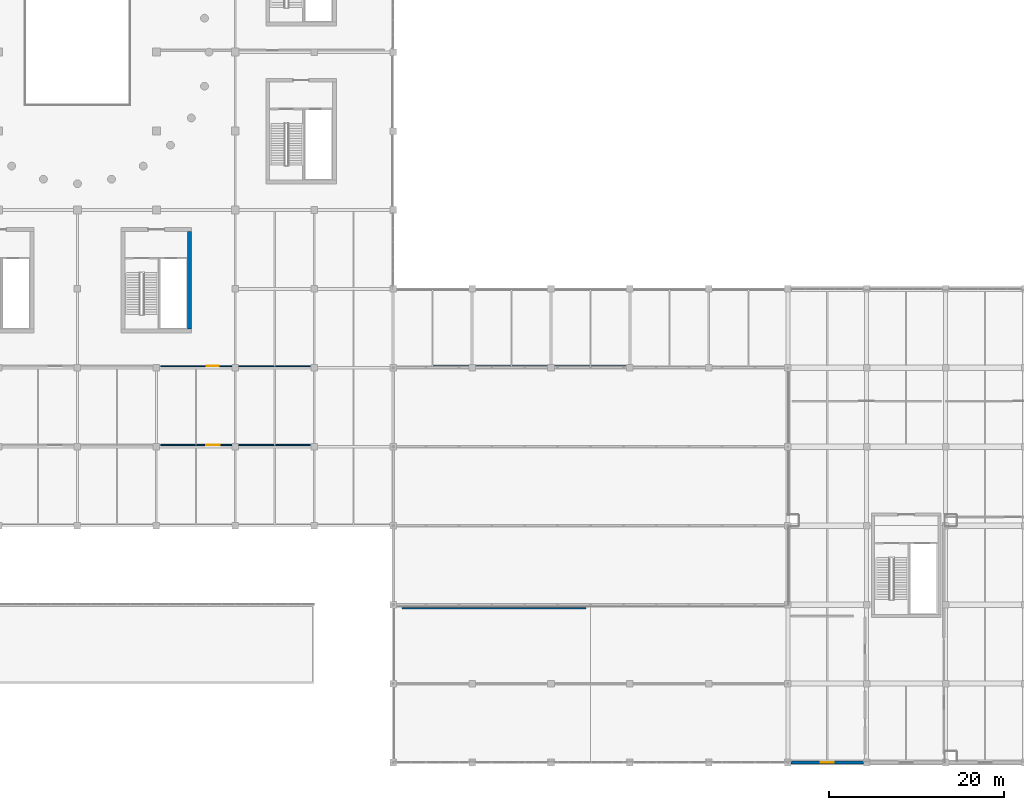
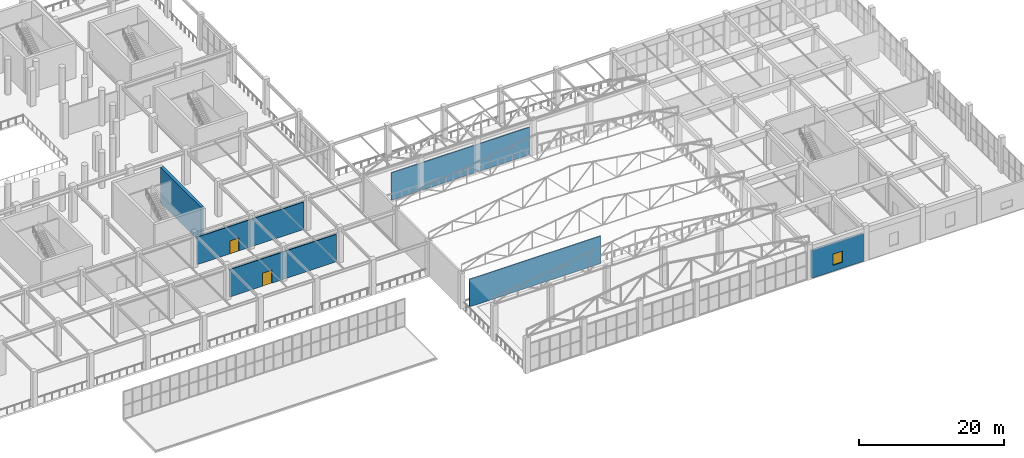
# One storey, part 192 of 223: 6 walls, 2 doors, 1 window, 3 openings.
"""IFC4 building model written with IfcOpenShell, lengths in metres."""

from ifc_helpers import new_model, si_unit, direction, frame, frame_2d, origin, place, context, subcontext, project, spatial, rectangle, extrude, material, layer, layer_set, type_object, element, fill, save


model = new_model("IFC4")

# Units and contexts
model_context = context("Model", 3, precision=1e-05, world=origin(), true_north=direction((0.0, 1.0)))
body_context = subcontext(model_context, "Body", "Model", "MODEL_VIEW")
ifc_project = project(units=[si_unit("LENGTHUNIT", "METRE"), si_unit("AREAUNIT", "SQUARE_METRE"), si_unit("VOLUMEUNIT", "CUBIC_METRE"), si_unit("PLANEANGLEUNIT", "RADIAN"), si_unit("MASSUNIT", "GRAM", prefix="KILO")], contexts=[model_context])

# Site, building, storey
site_placement = place(None, origin())
site = spatial("IfcSite", under=ifc_project, at=site_placement, CompositionType="ELEMENT")
building_placement = place(site_placement, origin())
building = spatial("IfcBuilding", under=site, at=building_placement, Name="Dornveld Trade and Exhibition Forum", CompositionType="ELEMENT")
storey_placement = place(building_placement, frame((0.0, 0.0, 6.0)))
storey = spatial("IfcBuildingStorey", under=building, at=storey_placement, Name="L01", CompositionType="ELEMENT", Elevation=6.0)

# Wall
ifc_material_1 = material(Name="Concrete C40/50", Category="concrete")
ifc_layer_1 = layer(ifc_material_1, 0.449951171875)
ifc_layer_set_1 = layer_set([ifc_layer_1], Name="Concrete C40/50")
wall_type_1 = type_object("IfcWallType", Name="WL-CORE-450", PredefinedType="SHEAR", material=ifc_layer_set_1)
wall_1_placement = place(storey_placement, frame((129.800048828125, 49.425048828125, 0.0), z_axis=(0.0, 0.0, 1.0), x_axis=(0.0, 1.0, 0.0)))
element("IfcWall", 1, at=wall_1_placement, inside=storey, type_object=wall_type_1, Name="CORE-07 L01 shear wall E", PredefinedType="SHEAR", context=body_context, shape_type="SweptSolid", body=[
    extrude(rectangle(XDim=11.14990234375, YDim=0.449951171875, at=frame_2d((5.574951171875, 0.0))), origin(), (0.0, 0.0, 1.0), 6.0),
])

# Wall, opening, window
ifc_material_2 = material(Name="Precast concrete C50/60", Category="concrete")
ifc_layer_2 = layer(ifc_material_2, 0.340087890625)
ifc_layer_set_2 = layer_set([ifc_layer_2], Name="Precast concrete C50/60")
wall_type_2 = type_object("IfcWallType", Name="WL-EXT-PC340", PredefinedType="SOLIDWALL", material=ifc_layer_set_2)
wall_2_placement = place(storey_placement, frame((198.37451171875, 0.0, 0.0), z_axis=(0.0, 0.0, 1.0), x_axis=(1.0, 0.0, 0.0)))
wall_2 = element("IfcWall", 2, at=wall_2_placement, inside=storey, type_object=wall_type_2, Name="L01 precast facade wall 100", PredefinedType="SOLIDWALL", context=body_context, shape_type="SweptSolid", body=[
    extrude(rectangle(XDim=8.2509765625, YDim=0.340087890625, at=frame_2d((4.12548828125, 0.0))), origin(), (0.0, 0.0, 1.0), 4.659912109375),
])
opening_1_placement = place(wall_2_placement, frame((3.37548828125, 0.0, 1.0)))
opening_1 = element("IfcOpeningElement", 3, at=opening_1_placement, cuts=wall_2, Name="Opening W-12", PredefinedType="OPENING", context=body_context, shape_type="SweptSolid", body=[
    extrude(rectangle(XDim=1.5, YDim=1.89990234375, at=frame_2d((0.75, 0.949951171875))), frame((0.0, 0.179931640625, 0.0), z_axis=(0.0, -1.0, 0.0), x_axis=(1.0, 0.0, 0.0)), (0.0, 0.0, 1.0), 0.360107421875),
])
ifc_material_3 = material(Name="Dark-bronze anodised aluminium and low-E glass", Category="aluminium")
window_type = type_object("IfcWindowType", Name="WIN-AL-12", PartitioningType="SINGLE_PANEL", PredefinedType="WINDOW", material=ifc_material_3)
window_placement = place(opening_1_placement, origin())
window = element("IfcWindow", 4, at=window_placement, inside=storey, type_object=window_type, Name="L01 facade window 75", OverallHeight=1.89990234375, OverallWidth=1.5, PartitioningType="SINGLE_PANEL", PredefinedType="WINDOW", context=body_context, shape_type="SweptSolid", body=[
    extrude(rectangle(XDim=1.5, YDim=1.89990234375, at=frame_2d((0.75, 0.949951171875))), frame((0.0, 0.030029296875, 0.0), z_axis=(0.0, -1.0, 0.0), x_axis=(1.0, 0.0, 0.0)), (0.0, 0.0, 1.0), 0.06005859375),
])
fill(opening_1, window)

# Wall
ifc_material_4 = material(Name="Fire-rated steel-stud gypsum board", Category="steel")
ifc_layer_3 = layer(ifc_material_4, 0.169921875)
ifc_layer_set_3 = layer_set([ifc_layer_3], Name="Fire-rated steel-stud gypsum board")
wall_type_3 = type_object("IfcWallType", Name="WL-INT-FR170", PredefinedType="PARTITIONING", material=ifc_layer_set_3)
wall_3_placement = place(storey_placement, frame((154.02001953125, 17.60009765625, 0.0), z_axis=(0.0, 0.0, 1.0), x_axis=(1.0, 0.0, 0.0)))
element("IfcWall", 5, at=wall_3_placement, inside=storey, type_object=wall_type_3, Name="L01 interior partition 42", PredefinedType="PARTITIONING", context=body_context, shape_type="SweptSolid", body=[
    extrude(rectangle(XDim=20.9599609375, YDim=0.169921875, at=frame_2d((10.47998046875, 0.0))), origin(), (0.0, 0.0, 1.0), 4.639892578125),
])

# Wall, opening, door
ifc_material_5 = material(Name="Steel-stud gypsum partition", Category="steel")
ifc_layer_4 = layer(ifc_material_5, 0.135009765625)
ifc_layer_set_4 = layer_set([ifc_layer_4], Name="Steel-stud gypsum partition")
wall_type_4 = type_object("IfcWallType", Name="WL-INT-ST135", PredefinedType="PARTITIONING", material=ifc_layer_set_4)
wall_4_placement = place(storey_placement, frame((126.47998046875, 45.199951171875, 0.0), z_axis=(0.0, 0.0, 1.0), x_axis=(1.0, 0.0, 0.0)))
wall_4 = element("IfcWall", 6, at=wall_4_placement, inside=storey, type_object=wall_type_4, Name="L01 interior partition 105", PredefinedType="PARTITIONING", context=body_context, shape_type="SweptSolid", body=[
    extrude(rectangle(XDim=17.0400390625, YDim=0.135009765625, at=frame_2d((8.52001953125, 0.0))), origin(), (0.0, 0.0, 1.0), 4.639892578125),
])
opening_2_placement = place(wall_4_placement, frame((5.27392578125, 0.0, 0.0)))
opening_2 = element("IfcOpeningElement", 7, at=opening_2_placement, cuts=wall_4, Name="Opening MSD-09-070", PredefinedType="OPENING", context=body_context, shape_type="SweptSolid", body=[
    extrude(rectangle(XDim=1.3798828125, YDim=2.199951171875, at=frame_2d((0.68994140625, 1.10009765625))), frame((0.0, 0.077392578125, 0.0), z_axis=(0.0, -1.0, 0.0), x_axis=(1.0, 0.0, 0.0)), (0.0, 0.0, 1.0), 0.155029296875),
])
ifc_material_6 = material(Name="Solid-core administration door", Category="wood")
door_type_1 = type_object("IfcDoorType", Name="DR-SUB-138x220", OperationType="NOTDEFINED", PredefinedType="DOOR", material=ifc_material_6)
door_1_placement = place(opening_2_placement, origin())
door_1 = element("IfcDoor", 8, at=door_1_placement, inside=storey, type_object=door_type_1, Name="L01 interior room door 70", OperationType="SINGLE_SWING_RIGHT", OverallHeight=2.199951171875, OverallWidth=1.3798828125, PredefinedType="DOOR", context=body_context, shape_type="SweptSolid", body=[
    extrude(rectangle(XDim=1.3798828125, YDim=2.199951171875, at=frame_2d((0.68994140625, 1.10009765625))), frame((0.0, 0.02490234375, 0.0), z_axis=(0.0, -1.0, 0.0), x_axis=(1.0, 0.0, 0.0)), (0.0, 0.0, 1.0), 0.050048828125),
])
fill(opening_2, door_1)

# Wall
ifc_material_7 = material(Name="Steel-stud gypsum partition", Category="steel")
ifc_layer_5 = layer(ifc_material_7, 0.155029296875)
ifc_layer_set_5 = layer_set([ifc_layer_5], Name="Steel-stud gypsum partition")
wall_type_5 = type_object("IfcWallType", Name="WL-INT-ST155", PredefinedType="PARTITIONING", material=ifc_layer_set_5)
wall_5_placement = place(storey_placement, frame((157.52001953125, 45.199951171875, 0.0), z_axis=(0.0, 0.0, 1.0), x_axis=(1.0, 0.0, 0.0)))
element("IfcWall", 9, at=wall_5_placement, inside=storey, type_object=wall_type_5, Name="L01 interior partition 43", PredefinedType="PARTITIONING", context=body_context, shape_type="SweptSolid", body=[
    extrude(rectangle(XDim=22.0, YDim=0.155029296875, at=frame_2d((11.0, 0.0))), origin(), (0.0, 0.0, 1.0), 4.639892578125),
])

# Wall, opening, door
wall_6_placement = place(storey_placement, frame((126.47998046875, 36.199951171875, 0.0), z_axis=(0.0, 0.0, 1.0), x_axis=(1.0, 0.0, 0.0)))
wall_6 = element("IfcWall", 10, at=wall_6_placement, inside=storey, type_object=wall_type_5, Name="L01 interior partition 103", PredefinedType="PARTITIONING", context=body_context, shape_type="SweptSolid", body=[
    extrude(rectangle(XDim=17.0400390625, YDim=0.155029296875, at=frame_2d((8.52001953125, 0.0))), origin(), (0.0, 0.0, 1.0), 4.639892578125),
])
opening_3_placement = place(wall_6_placement, frame((5.2041015625, 0.0, 0.0)))
opening_3 = element("IfcOpeningElement", 11, at=opening_3_placement, cuts=wall_6, Name="Opening MSD-07-068", PredefinedType="OPENING", context=body_context, shape_type="SweptSolid", body=[
    extrude(rectangle(XDim=1.52001953125, YDim=2.219970703125, at=frame_2d((0.760009765625, 1.10986328125))), frame((0.0, 0.08740234375, 0.0), z_axis=(0.0, -1.0, 0.0), x_axis=(1.0, 0.0, 0.0)), (0.0, 0.0, 1.0), 0.175048828125),
])
ifc_material_8 = material(Name="Solid-core administration door", Category="wood")
door_type_2 = type_object("IfcDoorType", Name="DR-SUB-152x222", OperationType="NOTDEFINED", PredefinedType="DOOR", material=ifc_material_8)
door_2_placement = place(opening_3_placement, origin())
door_2 = element("IfcDoor", 12, at=door_2_placement, inside=storey, type_object=door_type_2, Name="L01 interior room door 68", OperationType="SINGLE_SWING_RIGHT", OverallHeight=2.219970703125, OverallWidth=1.52001953125, PredefinedType="DOOR", context=body_context, shape_type="SweptSolid", body=[
    extrude(rectangle(XDim=1.52001953125, YDim=2.219970703125, at=frame_2d((0.760009765625, 1.10986328125))), frame((0.0, 0.02490234375, 0.0), z_axis=(0.0, -1.0, 0.0), x_axis=(1.0, 0.0, 0.0)), (0.0, 0.0, 1.0), 0.050048828125),
])
fill(opening_3, door_2)

save(model, "model.ifc")
